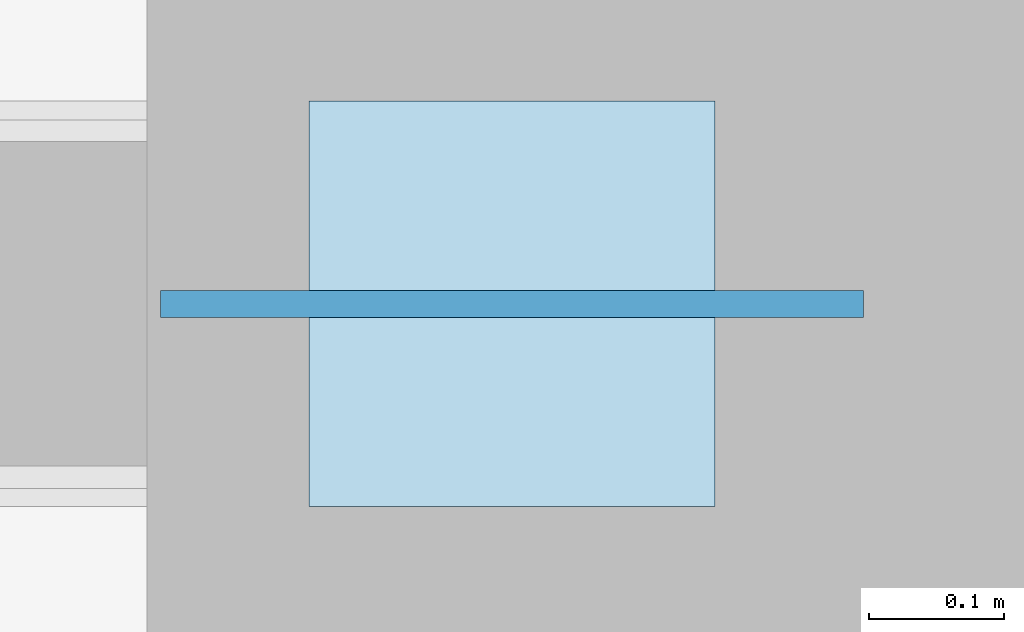
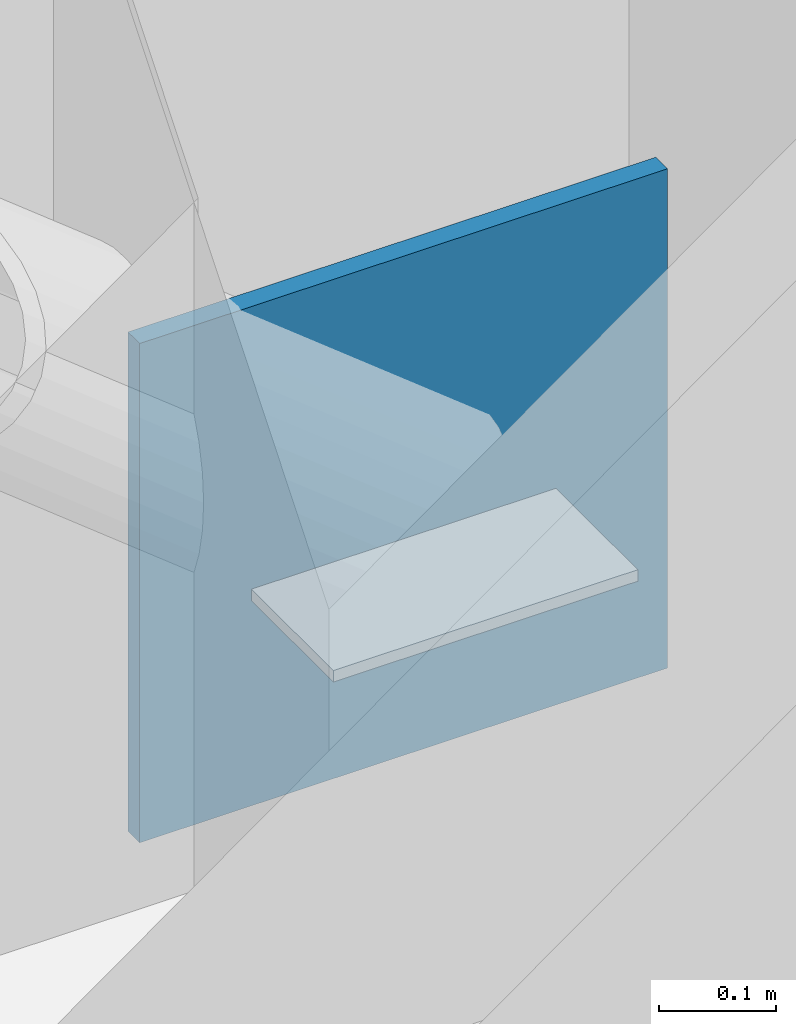
# One storey, part 25 of 40: 2 plates.
"""IFC4 building model written with IfcOpenShell, lengths in metres."""

from ifc_helpers import new_model, si_unit, direction, frame, origin, origin_2d, place, context, subcontext, project, spatial, rectangle, extrude, material, layer, layer_set, type_object, element, save


model = new_model("IFC4")

# Units and contexts
model_context = context("Model", 3, precision=1e-05, world=origin(), true_north=direction((0.0, 1.0)))
body_context = subcontext(model_context, "Body", "Model", "MODEL_VIEW")
ifc_project = project(units=[si_unit("LENGTHUNIT", "METRE"), si_unit("AREAUNIT", "SQUARE_METRE"), si_unit("VOLUMEUNIT", "CUBIC_METRE"), si_unit("PLANEANGLEUNIT", "RADIAN"), si_unit("MASSUNIT", "GRAM", prefix="KILO")], contexts=[model_context])

# Site, building, storey
site_placement = place(None, origin())
site = spatial("IfcSite", under=ifc_project, at=site_placement, CompositionType="ELEMENT")
building_placement = place(site_placement, origin())
building = spatial("IfcBuilding", under=site, at=building_placement, Name="Montelvaro Courts of Justice", CompositionType="ELEMENT")
storey_placement = place(building_placement, frame((0.0, 0.0, -4.5)))
storey = spatial("IfcBuildingStorey", under=building, at=storey_placement, Name="B01", CompositionType="ELEMENT", Elevation=-4.5)

# Plates
ifc_material = material(Name="Steel S355", Category="steel")
ifc_layer_1 = layer(ifc_material, 0.011962890625)
ifc_layer_set_1 = layer_set([ifc_layer_1], Name="Steel S355")
plate_type_1 = type_object("IfcPlateType", Name="EndCapPlate_12", PredefinedType="USERDEFINED", material=ifc_layer_set_1)
plate_1_placement = place(storey_placement, frame((125.919921875, 12.0, 0.19384765625), z_axis=(0.0, 0.0, 1.0), x_axis=(1.0, 0.0, 0.0)))
element("IfcPlate", 1, at=plate_1_placement, inside=storey, type_object=plate_type_1, Name="Brace End Cap Plate CP-01 CBF2-B01-2A", ObjectType="GUSSET PLATE", PredefinedType="USERDEFINED", context=body_context, shape_type="SweptSolid", body=[
    extrude(rectangle(XDim=0.300048828125, YDim=0.300048828125, at=origin_2d()), origin(), (0.0, 0.0, 1.0), 0.011962890625),
])
ifc_layer_2 = layer(ifc_material, 0.02001953125)
ifc_layer_set_2 = layer_set([ifc_layer_2], Name="Steel S355")
plate_type_2 = type_object("IfcPlateType", Name="GussetPlate_20", PredefinedType="USERDEFINED", material=ifc_layer_set_2)
plate_2_placement = place(storey_placement, frame((125.919921875, 12.0, -0.02001953125), z_axis=(0.0, 0.0, 1.0), x_axis=(1.0, 0.0, 0.0)))
element("IfcPlate", 2, at=plate_2_placement, inside=storey, type_object=plate_type_2, Name="Chevron Brace Base Gusset Plate GP-01 CBF2-B01-B2", ObjectType="GUSSET PLATE", PredefinedType="USERDEFINED", context=body_context, shape_type="SweptSolid", body=[
    extrude(rectangle(XDim=0.52001953125, YDim=0.02001953125, at=origin_2d()), origin(), (0.0, 0.0, 1.0), 0.52001953125),
])

save(model, "model.ifc")
